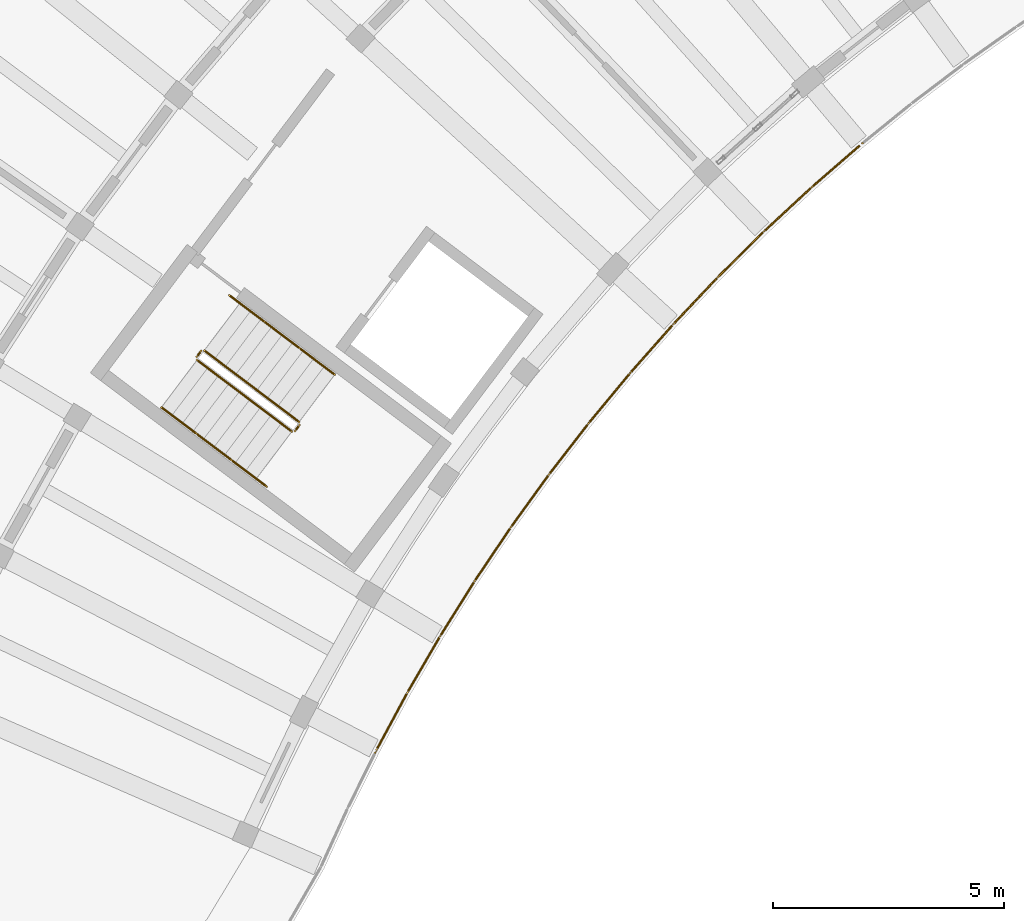
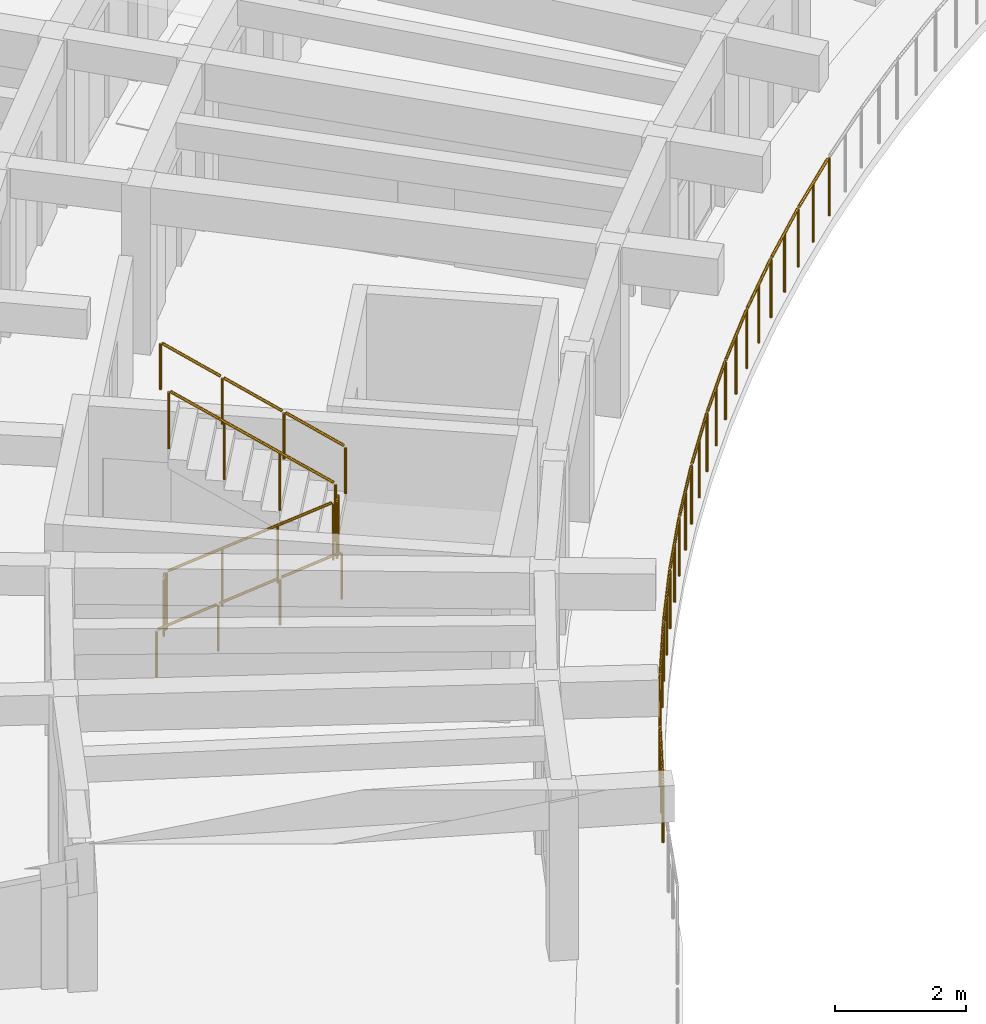
# One storey, part 30 of 36: 12 railings.
"""IFC4 building model written with IfcOpenShell, lengths in metres."""

import ifcopenshell
import ifcopenshell.guid

model = None  # the IFC model being written
_history = None  # IfcOwnerHistory: only IFC2X3 demands one
_inside = {}  # id of a spatial element -> (the spatial element, [elements in it])
_under = {}  # id of a project, library or spatial element -> (it, [spatial elements below it])
_declared = {}  # id of a project -> (the project, [libraries it declares])
_typed = {}  # id of a type object -> (the type object, [elements of that type])
_made_of = {}  # id of a material, layer set ... -> (it, [elements and type objects made of it])


def new_model(schema):
    """Start an empty IFC model of exactly this schema.

    Asked for "IFC4X3", IfcOpenShell would pick the latest addendum, in which some entities
    have other attributes; the version numbers below select the first issue.
    IFC2X3 requires an IfcOwnerHistory on every rooted entity: one is made here for all.
    """
    global model, _history
    if schema == "IFC4X3":
        model = ifcopenshell.file(schema_version=(4, 3, 0, 0))
    else:
        model = ifcopenshell.file(schema=schema)
    _inside.clear()
    _under.clear()
    _declared.clear()
    _typed.clear()
    _made_of.clear()
    _history = None
    if model.schema == "IFC2X3":
        org = make("IfcOrganization", Name="unknown")
        user = make(
            "IfcPersonAndOrganization",
            ThePerson=make("IfcPerson", FamilyName="unknown"),
            TheOrganization=org,
        )
        app = make(
            "IfcApplication",
            ApplicationDeveloper=org,
            Version="unknown",
            ApplicationFullName="unknown",
            ApplicationIdentifier="unknown",
        )
        _history = make(
            "IfcOwnerHistory",
            OwningUser=user,
            OwningApplication=app,
            ChangeAction="ADDED",
            CreationDate=0,
        )
    return model


def make(cls, **values):
    """One entity of the class cls with the attributes given. An attribute that is None is left unset."""
    return model.create_entity(
        cls, **{name: value for name, value in values.items() if value is not None}
    )


def rooted(cls, **values):
    """An entity with a GlobalId (a new one), such as an element, a storey or a relation."""
    return make(cls, GlobalId=ifcopenshell.guid.new(), OwnerHistory=_history, **values)


def si_unit(unit_type, name, prefix=None):
    """IfcSIUnit, for example si_unit("LENGTHUNIT", "METRE", prefix="MILLI")."""
    return make("IfcSIUnit", UnitType=unit_type, Prefix=prefix, Name=name)


def assignment(units):
    """IfcUnitAssignment: the units of a project."""
    return None if units is None else make("IfcUnitAssignment", Units=units)


def point(xyz):
    """IfcCartesianPoint."""
    return None if xyz is None else make("IfcCartesianPoint", Coordinates=xyz)


def direction(xyz):
    """IfcDirection."""
    return None if xyz is None else make("IfcDirection", DirectionRatios=xyz)


def frame(location, z_axis=None, x_axis=None):
    """IfcAxis2Placement3D, a coordinate frame: its origin and axes. An axis left out is left unset."""
    return make(
        "IfcAxis2Placement3D",
        Location=point(location),
        Axis=direction(z_axis),
        RefDirection=direction(x_axis),
    )


def frame_2d(location, x_axis=None):
    """IfcAxis2Placement2D, a coordinate frame in the plane: its origin and x axis."""
    return make(
        "IfcAxis2Placement2D", Location=point(location), RefDirection=direction(x_axis)
    )


def origin():
    """The frame at (0, 0, 0) with its axes left unset."""
    return frame((0.0, 0.0, 0.0))


def origin_2d():
    """The frame at (0, 0) in the plane with its x axis left unset."""
    return frame_2d((0.0, 0.0))


def place(relative_to, where):
    """IfcLocalPlacement: puts the frame where relative to a parent placement (None: the world)."""
    return make(
        "IfcLocalPlacement", PlacementRelTo=relative_to, RelativePlacement=where
    )


def context(
    kind, dimensions, precision=None, world=None, true_north=None, identifier=None
):
    """IfcGeometricRepresentationContext, for example the 3D "Model" context."""
    return make(
        "IfcGeometricRepresentationContext",
        ContextIdentifier=identifier,
        ContextType=kind,
        CoordinateSpaceDimension=dimensions,
        Precision=precision,
        WorldCoordinateSystem=world,
        TrueNorth=true_north,
    )


def subcontext(parent, identifier, kind, view, scale=None):
    """IfcGeometricRepresentationSubContext, for example "Body" below "Model"."""
    return make(
        "IfcGeometricRepresentationSubContext",
        ContextIdentifier=identifier,
        ContextType=kind,
        ParentContext=parent,
        TargetScale=scale,
        TargetView=view,
    )


def project(units=None, contexts=None):
    """IfcProject with its units and contexts."""
    return rooted(
        "IfcProject",
        Name="project",
        RepresentationContexts=contexts,
        UnitsInContext=assignment(units),
    )


def spatial(cls, under=None, at=None, **own):
    """A site, building, storey or space (cls), placed at a placement, below another one or the project."""
    s = rooted(cls, ObjectPlacement=at, **own)
    if under is not None:
        _under.setdefault(under.id(), (under, []))[1].append(s)
    return s


def profile(cls, at=None, kind="AREA", **sizes):
    """A parametric profile (cls). Its sizes go by their IFC names, for example OverallWidth=200.0."""
    return make(cls, ProfileType=kind, Position=at, **sizes)


def circle(**sizes):
    """IfcCircleProfileDef."""
    return profile("IfcCircleProfileDef", **sizes)


def extrude(swept, where, along, depth):
    """IfcExtrudedAreaSolid: the profile swept, set in the frame where, extruded along a direction by depth."""
    return make(
        "IfcExtrudedAreaSolid",
        SweptArea=swept,
        Position=where,
        ExtrudedDirection=direction(along),
        Depth=depth,
    )


def shape(context_of_items, identifier, shape_type, items):
    """IfcShapeRepresentation: the items that make up one representation, for example the "Body"."""
    return make(
        "IfcShapeRepresentation",
        ContextOfItems=context_of_items,
        RepresentationIdentifier=identifier,
        RepresentationType=shape_type,
        Items=items,
    )


def material(Name=None, Category=None):
    """IfcMaterial."""
    return make("IfcMaterial", Name=Name, Category=Category)


def made_of(thing, what):
    """Note that an element or type object is made of a material, layer set ...; save() writes the relation."""
    if what is not None:
        _made_of.setdefault(what.id(), (what, []))[1].append(thing)
    return thing


def type_object(cls, material=None, **own):
    """A type object (cls), such as IfcWallType, which elements share."""
    return made_of(rooted(cls, **own), material)


def element(
    cls,
    number,
    at=None,
    inside=None,
    cuts=None,
    type_object=None,
    material=None,
    context=None,
    identifier="Body",
    shape_type=None,
    held_by="IfcProductDefinitionShape",
    body=None,
    shapes=None,
    **own,
):
    """One element of the class cls, such as IfcWall. Its Tag is "e" and its number.

    at: its placement. inside: the storey or other place that contains it. cuts: it is an
    opening in that element (IfcRelVoidsElement). A single representation is given by context,
    identifier, shape_type and body (its items); several are given by shapes. held_by: the class
    of the entity that holds the representations. save() writes the other relations.
    """
    e = rooted(cls, Tag="e%d" % number, ObjectPlacement=at, **own)
    if body is not None:
        shapes = [shape(context, identifier, shape_type, body)]
    if shapes is not None:
        e.Representation = make(held_by, Representations=shapes)
    if inside is not None:
        _inside.setdefault(inside.id(), (inside, []))[1].append(e)
    if cuts is not None:
        rooted(
            "IfcRelVoidsElement", RelatingBuildingElement=cuts, RelatedOpeningElement=e
        )
    if type_object is not None:
        _typed.setdefault(type_object.id(), (type_object, []))[1].append(e)
    return made_of(e, material)


def aggregate(whole, parts):
    """IfcRelAggregates: a whole, such as a stair, and the parts it consists of."""
    return rooted("IfcRelAggregates", RelatingObject=whole, RelatedObjects=parts)


def save(model, path):
    """Write the relations noted so far, then the file.

    IfcRelAggregates (storeys below a building ...), IfcRelContainedInSpatialStructure (elements
    in a storey), IfcRelDefinesByType, IfcRelAssociatesMaterial and IfcRelDeclares: one each for
    every whole, place, type object, material and project.
    """
    for whole, parts in _under.values():
        aggregate(whole, parts)
    for where, things in _inside.values():
        rooted(
            "IfcRelContainedInSpatialStructure",
            RelatedElements=things,
            RelatingStructure=where,
        )
    for kind, things in _typed.values():
        rooted("IfcRelDefinesByType", RelatedObjects=things, RelatingType=kind)
    for what, things in _made_of.values():
        rooted("IfcRelAssociatesMaterial", RelatedObjects=things, RelatingMaterial=what)
    for by, libraries in _declared.values():
        rooted("IfcRelDeclares", RelatingContext=by, RelatedDefinitions=libraries)
    model.write(path)


model = new_model("IFC4")

# Units and contexts
model_context = context("Model", 3, precision=1e-05, world=origin(), true_north=direction((0.0, 1.0)))
body_context = subcontext(model_context, "Body", "Model", "MODEL_VIEW")
ifc_project = project(units=[si_unit("LENGTHUNIT", "METRE"), si_unit("AREAUNIT", "SQUARE_METRE"), si_unit("VOLUMEUNIT", "CUBIC_METRE"), si_unit("PLANEANGLEUNIT", "RADIAN"), si_unit("MASSUNIT", "GRAM", prefix="KILO")], contexts=[model_context])

# Site, building, storey
site_placement = place(None, origin())
site = spatial("IfcSite", under=ifc_project, at=site_placement, CompositionType="ELEMENT")
building_placement = place(site_placement, origin())
building = spatial("IfcBuilding", under=site, at=building_placement, Name="Tanwirah Colonnade Gardens", CompositionType="ELEMENT")
storey_placement = place(building_placement, frame((0.0, 0.0, 39.080078125)))
storey = spatial("IfcBuildingStorey", under=building, at=storey_placement, Name="L11", CompositionType="ELEMENT", Elevation=39.080078125)

# Railings
ifc_material_1 = material(Name="Precast concrete C40/50", Category="concrete")
railing_type_1 = type_object("IfcRailingType", Name="BAL-EXT112", PredefinedType="BALUSTRADE", material=ifc_material_1)
railing_1_placement = place(storey_placement, frame((37.599365234375, 92.922119140625, 0.0)))
element("IfcRailing", 1, at=railing_1_placement, inside=storey, type_object=railing_type_1, Name="Block A L11 Balcony Ribbon Balustrade 4", PredefinedType="BALUSTRADE", context=body_context, shape_type="SweptSolid", body=[
    extrude(circle(Radius=0.02392578125, at=origin_2d()), frame((-0.05810546875, -0.048828125, 1.09619140625), z_axis=(-0.755402192857, -0.655261418845, 0.0), x_axis=(0.655261418845, -0.755402192857, 0.0)), (0.0, 0.0, 1.0), 1.341796875),
    extrude(circle(Radius=0.02392578125, at=origin_2d()), frame((-1.1201171875, -0.971435546875, 1.09619140625), z_axis=(-0.73336899588, -0.679830799451, 0.0), x_axis=(0.679830799451, -0.73336899588, 0.0)), (0.0, 0.0, 1.0), 1.342041015625),
    extrude(circle(Radius=0.02392578125, at=origin_2d()), frame((-2.1513671875, -1.9287109375, 1.09619140625), z_axis=(-0.710488556831, -0.703708754111, 0.0), x_axis=(0.703708754111, -0.710488556831, 0.0)), (0.0, 0.0, 1.0), 1.341796875),
    extrude(circle(Radius=0.02392578125, at=origin_2d()), frame((-3.150146484375, -2.919677734375, 1.09619140625), z_axis=(-0.687011382404, -0.726646654466, 0.0), x_axis=(0.726646654466, -0.687011382404, 0.0)), (0.0, 0.0, 1.0), 1.341796875),
    extrude(circle(Radius=0.02392578125, at=origin_2d()), frame((-4.115966796875, -3.94287109375, 1.09619140625), z_axis=(-0.662581384852, -0.748989925464, 0.0), x_axis=(0.748989925464, -0.662581384852, 0.0)), (0.0, 0.0, 1.0), 1.341796875),
    extrude(circle(Radius=0.02392578125, at=origin_2d()), frame((-5.04736328125, -4.997314453125, 1.09619140625), z_axis=(-0.637581943595, -0.770382544715, 0.0), x_axis=(0.770382544715, -0.637581943595, 0.0)), (0.0, 0.0, 1.0), 1.342041015625),
    extrude(circle(Radius=0.02099609375, at=origin_2d()), origin(), (0.0, 0.0, 1.0), 1.069091796875),
    extrude(circle(Radius=0.02099609375, at=origin_2d()), frame((-0.56494140625, -0.48828125, 0.0)), (0.0, 0.0, 1.0), 1.069091796875),
    extrude(circle(Radius=0.02099609375, at=origin_2d()), frame((-1.09521484375, -0.948486328125, 0.0)), (0.0, 0.0, 1.0), 1.069091796875),
    extrude(circle(Radius=0.02099609375, at=origin_2d()), frame((-1.6123046875, -1.427734375, 0.0)), (0.0, 0.0, 1.0), 1.069091796875),
    extrude(circle(Radius=0.02099609375, at=origin_2d()), frame((-2.127197265625, -1.905029296875, 0.0)), (0.0, 0.0, 1.0), 1.069091796875),
    extrude(circle(Radius=0.02099609375, at=origin_2d()), frame((-2.6279296875, -2.40087890625, 0.0)), (0.0, 0.0, 1.0), 1.069091796875),
    extrude(circle(Radius=0.02099609375, at=origin_2d()), frame((-3.126953125, -2.89501953125, 0.0)), (0.0, 0.0, 1.0), 1.069091796875),
    extrude(circle(Radius=0.02099609375, at=origin_2d()), frame((-3.611083984375, -3.4072265625, 0.0)), (0.0, 0.0, 1.0), 1.069091796875),
    extrude(circle(Radius=0.02099609375, at=origin_2d()), frame((-4.093505859375, -3.91748046875, 0.0)), (0.0, 0.0, 1.0), 1.069091796875),
    extrude(circle(Radius=0.02099609375, at=origin_2d()), frame((-4.560546875, -4.4453125, 0.0)), (0.0, 0.0, 1.0), 1.069091796875),
    extrude(circle(Radius=0.02099609375, at=origin_2d()), frame((-5.025634765625, -4.97119140625, 0.0)), (0.0, 0.0, 1.0), 1.069091796875),
    extrude(circle(Radius=0.02099609375, at=origin_2d()), frame((-5.47509765625, -5.51416015625, 0.0)), (0.0, 0.0, 1.0), 1.069091796875),
    extrude(circle(Radius=0.02099609375, at=origin_2d()), frame((-5.9228515625, -6.05517578125, 0.0)), (0.0, 0.0, 1.0), 1.069091796875),
])
railing_2_placement = place(storey_placement, frame((31.666748046875, 86.854248046875, 0.0)))
element("IfcRailing", 2, at=railing_2_placement, inside=storey, type_object=railing_type_1, Name="Block A L11 Balcony Ribbon Balustrade 5", PredefinedType="BALUSTRADE", context=body_context, shape_type="SweptSolid", body=[
    extrude(circle(Radius=0.02392578125, at=origin_2d()), frame((-0.01904296875, -0.024658203125, 1.09619140625), z_axis=(-0.61189701308, -0.7909374472, 0.0), x_axis=(0.7909374472, -0.61189701308, 0.0)), (0.0, 0.0, 1.0), 1.328369140625),
    extrude(circle(Radius=0.02392578125, at=origin_2d()), frame((-0.870849609375, -1.127685546875, 1.09619140625), z_axis=(-0.585522290474, -0.810656306556, 0.0), x_axis=(0.810656306556, -0.585522290474, 0.0)), (0.0, 0.0, 1.0), 1.341796875),
    extrude(circle(Radius=0.02392578125, at=origin_2d()), frame((-1.69384765625, -2.268798828125, 1.09619140625), z_axis=(-0.558385571779, -0.829581553091, 0.0), x_axis=(0.829581553091, -0.558385571779, 0.0)), (0.0, 0.0, 1.0), 1.341796875),
    extrude(circle(Radius=0.02392578125, at=origin_2d()), frame((-2.478515625, -3.436767578125, 1.09619140625), z_axis=(-0.530764445851, -0.847519382091, 0.0), x_axis=(0.847519382091, -0.530764445851, 0.0)), (0.0, 0.0, 1.0), 1.341796875),
    extrude(circle(Radius=0.02392578125, at=origin_2d()), frame((-3.224365234375, -4.629638671875, 1.09619140625), z_axis=(-0.502378729104, -0.864647681165, 0.0), x_axis=(0.864647681165, -0.502378729104, 0.0)), (0.0, 0.0, 1.0), 1.342041015625),
    extrude(circle(Radius=0.02392578125, at=origin_2d()), frame((-3.930419921875, -5.8466796875, 1.09619140625), z_axis=(-0.473716211853, -0.880677552018, 0.0), x_axis=(0.880677552018, -0.473716211853, 0.0)), (0.0, 0.0, 1.0), 1.341796875),
    extrude(circle(Radius=0.02392578125, at=origin_2d()), frame((-4.595947265625, -7.086181640625, 1.09619140625), z_axis=(-0.44585169824, -0.895106844559, 0.0), x_axis=(0.895106844559, -0.44585169824, 0.0)), (0.0, 0.0, 1.0), 0.00927734375),
    extrude(circle(Radius=0.02099609375, at=origin_2d()), origin(), (0.0, 0.0, 1.0), 1.069091796875),
    extrude(circle(Radius=0.02099609375, at=origin_2d()), frame((-0.425537109375, -0.550048828125, 0.0)), (0.0, 0.0, 1.0), 1.069091796875),
    extrude(circle(Radius=0.02099609375, at=origin_2d()), frame((-0.85107421875, -1.10009765625, 0.0)), (0.0, 0.0, 1.0), 1.069091796875),
    extrude(circle(Radius=0.02099609375, at=origin_2d()), frame((-1.263671875, -1.67138671875, 0.0)), (0.0, 0.0, 1.0), 1.069091796875),
    extrude(circle(Radius=0.02099609375, at=origin_2d()), frame((-1.6748046875, -2.24072265625, 0.0)), (0.0, 0.0, 1.0), 1.069091796875),
    extrude(circle(Radius=0.02099609375, at=origin_2d()), frame((-2.068359375, -2.825439453125, 0.0)), (0.0, 0.0, 1.0), 1.069091796875),
    extrude(circle(Radius=0.02099609375, at=origin_2d()), frame((-2.46044921875, -3.407958984375, 0.0)), (0.0, 0.0, 1.0), 1.069091796875),
    extrude(circle(Radius=0.02099609375, at=origin_2d()), frame((-2.83447265625, -4.00537109375, 0.0)), (0.0, 0.0, 1.0), 1.069091796875),
    extrude(circle(Radius=0.02099609375, at=origin_2d()), frame((-3.207275390625, -4.600341796875, 0.0)), (0.0, 0.0, 1.0), 1.069091796875),
    extrude(circle(Radius=0.02099609375, at=origin_2d()), frame((-3.5615234375, -5.209716796875, 0.0)), (0.0, 0.0, 1.0), 1.069091796875),
    extrude(circle(Radius=0.02099609375, at=origin_2d()), frame((-3.914306640625, -5.81689453125, 0.0)), (0.0, 0.0, 1.0), 1.069091796875),
    extrude(circle(Radius=0.02099609375, at=origin_2d()), frame((-4.248046875, -6.4375, 0.0)), (0.0, 0.0, 1.0), 1.069091796875),
    extrude(circle(Radius=0.02099609375, at=origin_2d()), frame((-4.580810546875, -7.055908203125, 0.0)), (0.0, 0.0, 1.0), 1.069091796875),
    extrude(circle(Radius=0.02099609375, at=origin_2d()), frame((-4.614013671875, -7.122314453125, 0.0)), (0.0, 0.0, 1.0), 1.069091796875),
])
ifc_material_2 = material(Name="Powder-coated galvanized steel", Category="steel")
railing_type_2 = type_object("IfcRailingType", Name="GRD-ST110", PredefinedType="GUARDRAIL", material=ifc_material_2)
railing_3_placement = place(storey_placement, frame((23.201416015625, 88.22900390625, 0.16796875)))
element("IfcRailing", 3, at=railing_3_placement, inside=storey, type_object=railing_type_2, Name="L11 ST-A2 stair guard 1", PredefinedType="GUARDRAIL", context=body_context, shape_type="SweptSolid", body=[
    extrude(circle(Radius=0.02392578125, at=origin_2d()), frame((0.021484375, -0.01611328125, 1.092041015625), z_axis=(0.688012363654, -0.518448596756, 0.507789365762), x_axis=(0.601810650199, 0.798638805285, 0.0)), (0.0, 0.0, 1.0), 2.9150390625),
    extrude(circle(Radius=0.02099609375, at=origin_2d()), origin(), (0.0, 0.0, 1.0), 1.049072265625),
    extrude(circle(Radius=0.02099609375, at=origin_2d()), frame((0.682861328125, -0.5146484375, 0.50390625)), (0.0, 0.0, 1.0), 1.049072265625),
    extrude(circle(Radius=0.02099609375, at=origin_2d()), frame((1.36572265625, -1.029052734375, 1.008056640625)), (0.0, 0.0, 1.0), 1.049072265625),
    extrude(circle(Radius=0.02099609375, at=origin_2d()), frame((2.048583984375, -1.543701171875, 1.511962890625)), (0.0, 0.0, 1.0), 1.049072265625),
])
railing_4_placement = place(storey_placement, frame((25.320068359375, 86.695068359375, 1.679931640625)))
element("IfcRailing", 4, at=railing_4_placement, inside=storey, type_object=railing_type_2, Name="L11 ST-A2 stair guard 2", PredefinedType="GUARDRAIL", context=body_context, shape_type="SweptSolid", body=[
    extrude(circle(Radius=0.02392578125, at=origin_2d()), frame((0.018798828125, 0.02490234375, 1.076171875), z_axis=(0.600975757569, 0.799267251183, 0.0), x_axis=(-0.799267251183, 0.600975757569, 0.0)), (0.0, 0.0, 1.0), 0.09765625),
    extrude(circle(Radius=0.02099609375, at=origin_2d()), origin(), (0.0, 0.0, 1.0), 1.049072265625),
    extrude(circle(Radius=0.02099609375, at=origin_2d()), frame((0.09619140625, 0.1279296875, 0.0)), (0.0, 0.0, 1.0), 1.049072265625),
])
railing_5_placement = place(storey_placement, frame((25.406494140625, 86.89306640625, 1.847900390625)))
element("IfcRailing", 5, at=railing_5_placement, inside=storey, type_object=railing_type_2, Name="L11 ST-A2 stair guard 3", PredefinedType="GUARDRAIL", context=body_context, shape_type="SweptSolid", body=[
    extrude(circle(Radius=0.02392578125, at=origin_2d()), frame((-0.021484375, 0.01611328125, 1.092041015625), z_axis=(-0.688041610417, 0.518388637952, 0.507810951414), x_axis=(-0.60174993816, -0.798684550949, 0.0)), (0.0, 0.0, 1.0), 2.914794921875),
    extrude(circle(Radius=0.02099609375, at=origin_2d()), origin(), (0.0, 0.0, 1.0), 1.049072265625),
    extrude(circle(Radius=0.02099609375, at=origin_2d()), frame((-0.682861328125, 0.514404296875, 0.50390625)), (0.0, 0.0, 1.0), 1.049072265625),
    extrude(circle(Radius=0.02099609375, at=origin_2d()), frame((-1.36572265625, 1.029052734375, 1.008056640625)), (0.0, 0.0, 1.0), 1.049072265625),
    extrude(circle(Radius=0.02099609375, at=origin_2d()), frame((-2.048583984375, 1.54345703125, 1.511962890625)), (0.0, 0.0, 1.0), 1.049072265625),
])
railing_6_placement = place(storey_placement, frame((23.191650390625, 88.299072265625, 0.0)))
element("IfcRailing", 6, at=railing_6_placement, inside=storey, type_object=railing_type_2, Name="L11 ST-A2 stair guard 4", PredefinedType="GUARDRAIL", context=body_context, shape_type="SweptSolid", body=[
    extrude(circle(Radius=0.02392578125, at=origin_2d()), frame((0.018798828125, 0.02490234375, 1.076171875), z_axis=(0.602681987584, 0.797981467104, 0.0), x_axis=(-0.797981467104, 0.602681987584, 0.0)), (0.0, 0.0, 1.0), 0.097412109375),
    extrude(circle(Radius=0.02099609375, at=origin_2d()), origin(), (0.0, 0.0, 1.0), 1.049072265625),
    extrude(circle(Radius=0.02099609375, at=origin_2d()), frame((0.096435546875, 0.127685546875, 0.0)), (0.0, 0.0, 1.0), 1.049072265625),
])
ifc_material_3 = material(Name="Brushed bronze stainless steel", Category="steel")
railing_type_3 = type_object("IfcRailingType", Name="HR-ST090", PredefinedType="HANDRAIL", material=ifc_material_3)
for number, where, name in (
    (7, (22.43115234375, 87.206787109375, 0.16796875), "L11 ST-A2 stair handrail 1"),
    (8, (23.18994140625, 86.635009765625, 0.73388671875), "L11 ST-A2 stair handrail 2"),
):
    element("IfcRailing", number, at=place(storey_placement, frame(where)), inside=storey, type_object=railing_type_3, Name=name, PredefinedType="HANDRAIL", context=body_context, shape_type="SweptSolid", body=[
        extrude(circle(Radius=0.02392578125, at=origin_2d()), frame((0.021484375, -0.01611328125, 0.891845703125), z_axis=(0.686145346169, -0.517037451972, 0.51173903231), x_axis=(0.601807485929, 0.798641189696, 0.0)), (0.0, 0.0, 1.0), 1.04345703125),
        extrude(circle(Radius=0.02099609375, at=origin_2d()), origin(), (0.0, 0.0, 1.0), 0.848876953125),
        extrude(circle(Radius=0.02099609375, at=origin_2d()), frame((0.7587890625, -0.57177734375, 0.56591796875)), (0.0, 0.0, 1.0), 0.848876953125),
    ])
railing_7_placement = place(storey_placement, frame((23.94873046875, 86.063232421875, 1.2998046875)))
element("IfcRailing", 9, at=railing_7_placement, inside=storey, type_object=railing_type_3, Name="L11 ST-A2 stair handrail 3", PredefinedType="HANDRAIL", context=body_context, shape_type="SweptSolid", body=[
    extrude(circle(Radius=0.02392578125, at=origin_2d()), frame((0.021484375, -0.01611328125, 0.891845703125), z_axis=(0.685950957095, -0.517057335538, 0.511979488092), x_axis=(0.601931007785, 0.798548096152, 0.0)), (0.0, 0.0, 1.0), 1.043212890625),
    extrude(circle(Radius=0.02099609375, at=origin_2d()), origin(), (0.0, 0.0, 1.0), 0.848876953125),
    extrude(circle(Radius=0.02099609375, at=origin_2d()), frame((0.758544921875, -0.57177734375, 0.566162109375)), (0.0, 0.0, 1.0), 0.848876953125),
])
railing_8_placement = place(storey_placement, frame((26.1767578125, 87.915283203125, 1.847900390625)))
element("IfcRailing", 10, at=railing_8_placement, inside=storey, type_object=railing_type_3, Name="L11 ST-A2 stair handrail 4", PredefinedType="HANDRAIL", context=body_context, shape_type="SweptSolid", body=[
    extrude(circle(Radius=0.02392578125, at=origin_2d()), frame((-0.021484375, 0.01611328125, 0.891845703125), z_axis=(-0.686028488458, 0.517115777267, 0.511816554955), x_axis=(-0.601931007785, -0.798548096152, 0.0)), (0.0, 0.0, 1.0), 1.043212890625),
    extrude(circle(Radius=0.02099609375, at=origin_2d()), origin(), (0.0, 0.0, 1.0), 0.848876953125),
    extrude(circle(Radius=0.02099609375, at=origin_2d()), frame((-0.758544921875, 0.57177734375, 0.56591796875)), (0.0, 0.0, 1.0), 0.848876953125),
])
railing_9_placement = place(storey_placement, frame((25.418212890625, 88.487060546875, 2.413818359375)))
element("IfcRailing", 11, at=railing_9_placement, inside=storey, type_object=railing_type_3, Name="L11 ST-A2 stair handrail 5", PredefinedType="HANDRAIL", context=body_context, shape_type="SweptSolid", body=[
    extrude(circle(Radius=0.02392578125, at=origin_2d()), frame((-0.021484375, 0.01611328125, 0.891845703125), z_axis=(-0.686146115326, 0.516817263828, 0.511960373694), x_axis=(-0.601643549736, -0.798764695677, 0.0)), (0.0, 0.0, 1.0), 1.04345703125),
    extrude(circle(Radius=0.02099609375, at=origin_2d()), origin(), (0.0, 0.0, 1.0), 0.848876953125),
    extrude(circle(Radius=0.02099609375, at=origin_2d()), frame((-0.7587890625, 0.571533203125, 0.566162109375)), (0.0, 0.0, 1.0), 0.848876953125),
])
railing_10_placement = place(storey_placement, frame((24.659423828125, 89.05859375, 2.97998046875)))
element("IfcRailing", 12, at=railing_10_placement, inside=storey, type_object=railing_type_3, Name="L11 ST-A2 stair handrail 6", PredefinedType="HANDRAIL", context=body_context, shape_type="SweptSolid", body=[
    extrude(circle(Radius=0.02392578125, at=origin_2d()), frame((-0.021484375, 0.01611328125, 0.891845703125), z_axis=(-0.686145346169, 0.517037451972, 0.51173903231), x_axis=(-0.601807485929, -0.798641189696, 0.0)), (0.0, 0.0, 1.0), 1.04345703125),
    extrude(circle(Radius=0.02099609375, at=origin_2d()), origin(), (0.0, 0.0, 1.0), 0.848876953125),
    extrude(circle(Radius=0.02099609375, at=origin_2d()), frame((-0.7587890625, 0.57177734375, 0.56591796875)), (0.0, 0.0, 1.0), 0.848876953125),
])

save(model, "model.ifc")
